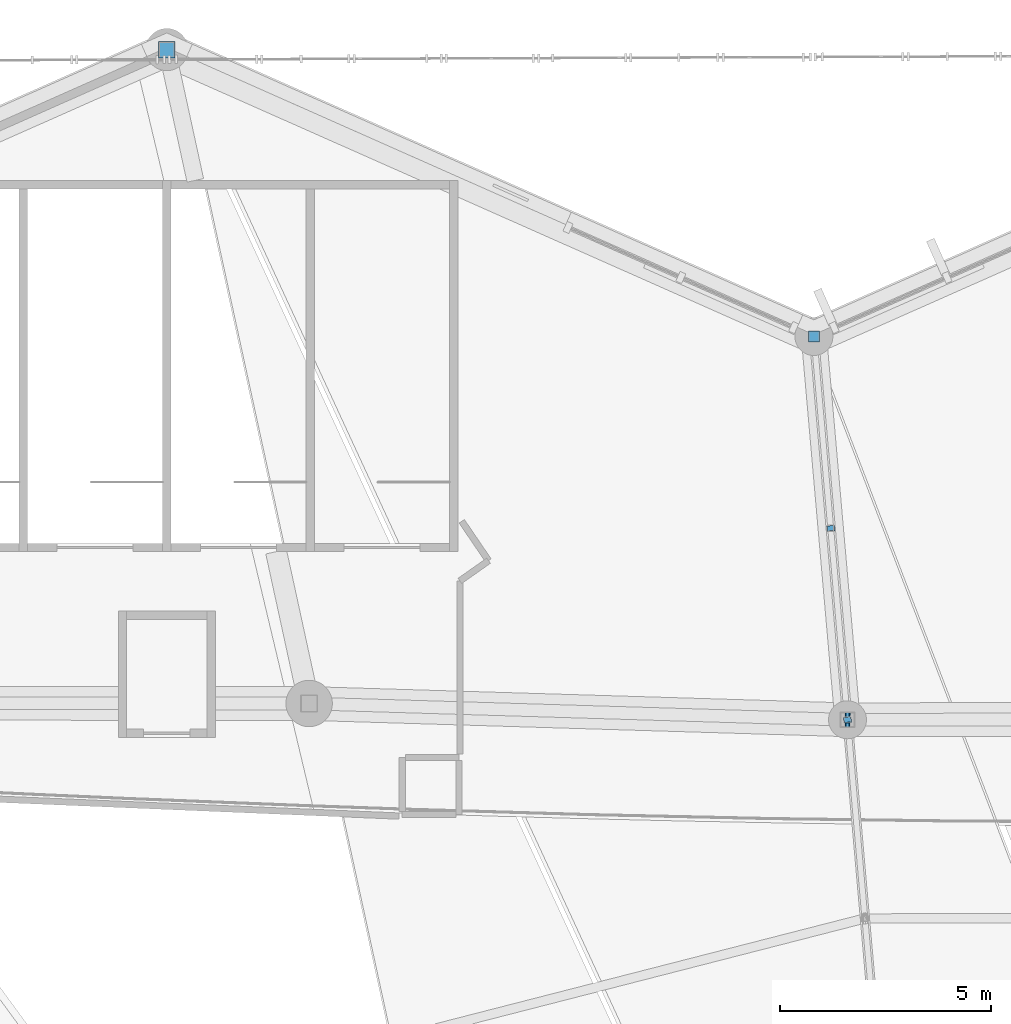
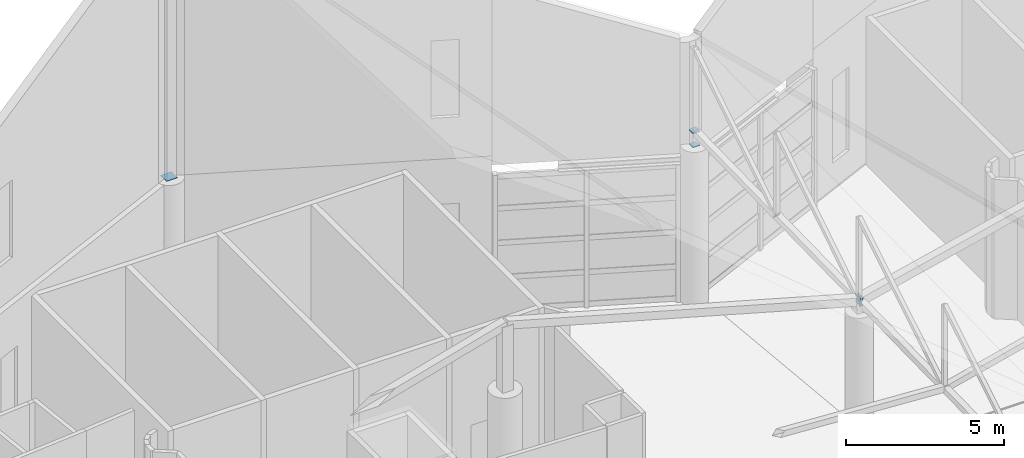
# One storey, part 326 of 344: 8 discrete accessories.
"""IFC4 building model written with IfcOpenShell, lengths in metres."""

from ifc_helpers import new_model, si_unit, direction, frame, origin, origin_2d, place, context, subcontext, project, spatial, rectangle, extrude, material, material_profile, profile_set, type_object, element, save


model = new_model("IFC4")

# Units and contexts
model_context = context("Model", 3, precision=1e-05, world=origin(), true_north=direction((0.0, 1.0)))
body_context = subcontext(model_context, "Body", "Model", "MODEL_VIEW")
ifc_project = project(units=[si_unit("LENGTHUNIT", "METRE"), si_unit("AREAUNIT", "SQUARE_METRE"), si_unit("VOLUMEUNIT", "CUBIC_METRE"), si_unit("PLANEANGLEUNIT", "RADIAN"), si_unit("MASSUNIT", "GRAM", prefix="KILO")], contexts=[model_context])

# Site, building, storey
site_placement = place(None, origin())
site = spatial("IfcSite", under=ifc_project, at=site_placement, CompositionType="ELEMENT")
building_placement = place(site_placement, origin())
building = spatial("IfcBuilding", under=site, at=building_placement, Name="Meseta Stadium", CompositionType="ELEMENT")
storey_placement = place(building_placement, frame((0.0, 0.0, 24.0)))
storey = spatial("IfcBuildingStorey", under=building, at=storey_placement, Name="L04", CompositionType="ELEMENT", Elevation=24.0)

# Discrete accessories
ifc_material_1 = material(Name="Steel S355", Category="steel")
ifc_material_profile_1 = material_profile(ifc_material_1, rectangle(XDim=0.179931640625, YDim=0.179931640625, at=origin_2d()), Name="PL 180x180")
ifc_profile_set_1 = profile_set([ifc_material_profile_1], Name="Steel S355")
discrete_accessory_type_1 = type_object("IfcDiscreteAccessoryType", Name="End plate 180x180x20", PredefinedType="ANCHORPLATE", material=ifc_profile_set_1)
for number, where, z_axis, x_axis, name in (
    (1, (-6.869384765625, 89.502685546875, 5.19970703125), (-0.073361913819, 0.758073109461, 0.648030238733), (-0.995350013555, -0.09632419486, 0.0), "End plate of ROOF TRUSS RT-19 diagonal"),
    (2, (-7.267333984375, 94.043701171875, 5.86376953125), (-0.073361913819, 0.758073109461, 0.648030238733), (-0.995350013555, -0.09632419486, 0.0), "End plate of ROOF TRUSS RT-19 diagonal"),
):
    element("IfcDiscreteAccessory", number, at=place(storey_placement, frame(where, z_axis=z_axis, x_axis=x_axis)), inside=storey, type_object=discrete_accessory_type_1, Name=name, PredefinedType="ANCHORPLATE", context=body_context, shape_type="SweptSolid", body=[
        extrude(rectangle(XDim=0.179931640625, YDim=0.179931640625, at=origin_2d()), origin(), (0.0, 0.0, 1.0), 0.02001953125),
    ])
ifc_material_2 = material(Name="Steel S355", Category="steel")
ifc_material_profile_2 = material_profile(ifc_material_2, rectangle(XDim=0.260009765625, YDim=0.260009765625, at=origin_2d()), Name="PL 260x260")
ifc_profile_set_2 = profile_set([ifc_material_profile_2], Name="Steel S355")
discrete_accessory_type_2 = type_object("IfcDiscreteAccessoryType", Name="End plate 260x260x20", PredefinedType="ANCHORPLATE", material=ifc_profile_set_2)
for number, where, z_axis, x_axis, name in (
    (3, (-7.666748046875, 98.60009765625, 6.520751953125), (0.0, 0.0, 1.0), (1.0, 0.0, 0.0), "End plate of ROOF TRUSS RT-19 post"),
    (4, (-7.666748046875, 98.60009765625, 5.97998046875), (0.0, 0.0, 1.0), (1.0, 0.0, 0.0), "End plate of ROOF RIM POST RT-19"),
    (5, (-7.666748046875, 98.60009765625, 6.540771484375), (0.0, 0.0, 1.0), (1.0, 0.0, 0.0), "End plate of ROOF RIM POST RT-19"),
):
    element("IfcDiscreteAccessory", number, at=place(storey_placement, frame(where, z_axis=z_axis, x_axis=x_axis)), inside=storey, type_object=discrete_accessory_type_2, Name=name, PredefinedType="ANCHORPLATE", context=body_context, shape_type="SweptSolid", body=[
        extrude(rectangle(XDim=0.260009765625, YDim=0.260009765625, at=origin_2d()), origin(), (0.0, 0.0, 1.0), 0.02001953125),
    ])
ifc_material_3 = material(Name="Steel S355", Category="steel")
ifc_material_profile_3 = material_profile(ifc_material_3, rectangle(XDim=0.340087890625, YDim=0.340087890625, at=origin_2d()), Name="PL 340x340")
ifc_profile_set_3 = profile_set([ifc_material_profile_3], Name="Steel S355")
discrete_accessory_type_3 = type_object("IfcDiscreteAccessoryType", Name="End plate 340x340x20", PredefinedType="ANCHORPLATE", material=ifc_profile_set_3)
discrete_accessory_1_placement = place(storey_placement, frame((-6.870849609375, 89.517822265625, 5.212646484375), z_axis=(-0.972275475429, 0.0, -0.233838405483), x_axis=(0.0, -1.0, 0.0)))
element("IfcDiscreteAccessory", 6, at=discrete_accessory_1_placement, inside=storey, type_object=discrete_accessory_type_3, Name="End plate of ROOF PIVOT STRUT RT-18/19", PredefinedType="ANCHORPLATE", context=body_context, shape_type="SweptSolid", body=[
    extrude(rectangle(XDim=0.340087890625, YDim=0.340087890625, at=origin_2d()), origin(), (0.0, 0.0, 1.0), 0.019775390625),
])
discrete_accessory_2_placement = place(storey_placement, frame((-6.851318359375, 89.517333984375, 5.20751953125), z_axis=(-0.966948314595, 0.024173707865, 0.253823932581), x_axis=(-0.02499219116, -0.999687646408, 0.0)))
element("IfcDiscreteAccessory", 7, at=discrete_accessory_2_placement, inside=storey, type_object=discrete_accessory_type_3, Name="End plate of ROOF PIVOT STRUT RT-19/20", PredefinedType="ANCHORPLATE", context=body_context, shape_type="SweptSolid", body=[
    extrude(rectangle(XDim=0.340087890625, YDim=0.340087890625, at=origin_2d()), origin(), (0.0, 0.0, 1.0), 0.020263671875),
])
ifc_material_4 = material(Name="Steel S355", Category="steel")
ifc_material_profile_4 = material_profile(ifc_material_4, rectangle(XDim=0.389892578125, YDim=0.389892578125, at=origin_2d()), Name="PL 390x390")
ifc_profile_set_4 = profile_set([ifc_material_profile_4], Name="Steel S355")
discrete_accessory_type_4 = type_object("IfcDiscreteAccessoryType", Name="End plate 390x390x20", PredefinedType="ANCHORPLATE", material=ifc_profile_set_4)
discrete_accessory_3_placement = place(storey_placement, frame((-23.0, 105.39990234375, 5.97998046875), z_axis=(0.0, 0.0, 1.0), x_axis=(1.0, 0.0, 0.0)))
element("IfcDiscreteAccessory", 8, at=discrete_accessory_3_placement, inside=storey, type_object=discrete_accessory_type_4, Name="End plate of ROOF RIM POST RT-20", PredefinedType="ANCHORPLATE", context=body_context, shape_type="SweptSolid", body=[
    extrude(rectangle(XDim=0.389892578125, YDim=0.389892578125, at=origin_2d()), origin(), (0.0, 0.0, 1.0), 0.02001953125),
])

save(model, "model.ifc")
